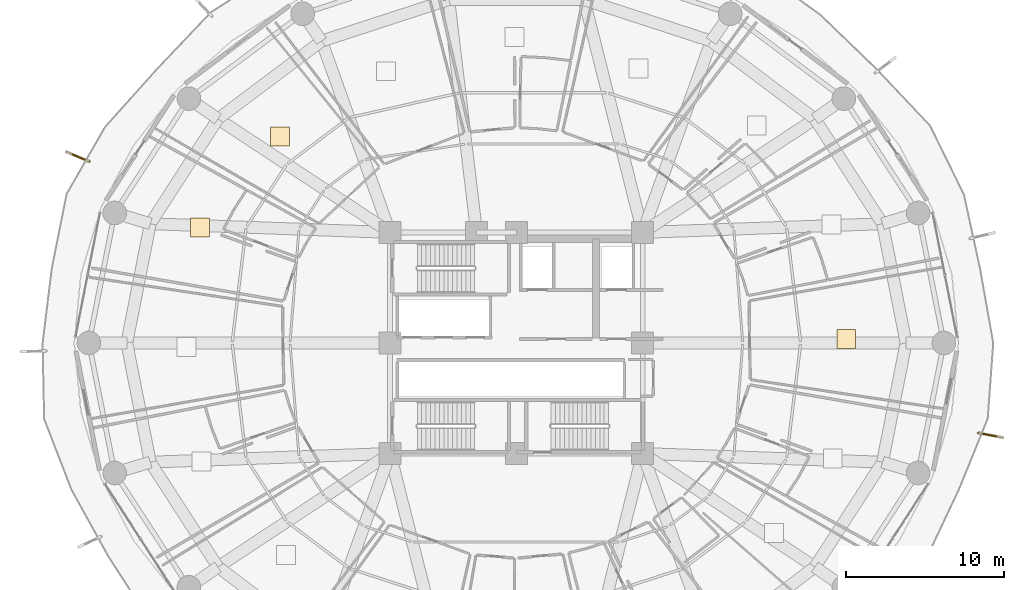
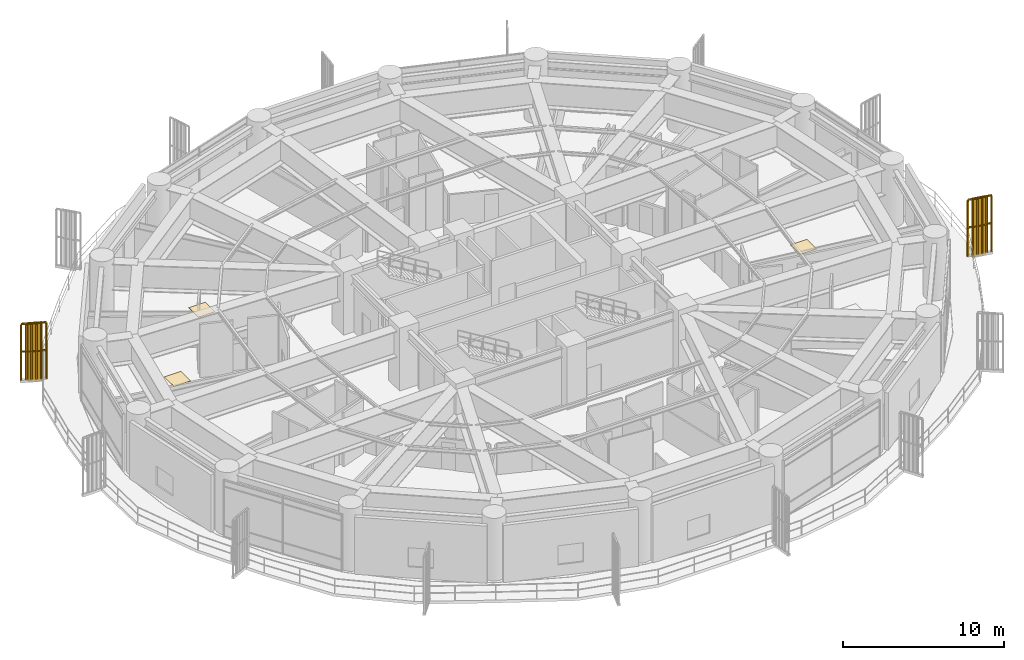
# One storey, part 29 of 31: 3 coverings, 2 railings, 2 shading devices.
"""IFC4 building model written with IfcOpenShell, lengths in metres."""

from ifc_helpers import new_model, si_unit, direction, frame, origin, origin_2d, place, context, subcontext, project, spatial, polyline, rectangle, outline, extrude, source, transform, mapped, material, layer, layer_set, type_object, element, save


model = new_model("IFC4")

# Units and contexts
model_context = context("Model", 3, precision=1e-05, world=origin(), true_north=direction((0.0, 1.0)))
body_context = subcontext(model_context, "Body", "Model", "MODEL_VIEW")
ifc_project = project(units=[si_unit("LENGTHUNIT", "METRE"), si_unit("AREAUNIT", "SQUARE_METRE"), si_unit("VOLUMEUNIT", "CUBIC_METRE"), si_unit("PLANEANGLEUNIT", "RADIAN"), si_unit("MASSUNIT", "GRAM", prefix="KILO")], contexts=[model_context])

# Site, building, storey
site_placement = place(None, origin())
site = spatial("IfcSite", under=ifc_project, at=site_placement, CompositionType="ELEMENT")
building_placement = place(site_placement, origin())
building = spatial("IfcBuilding", under=site, at=building_placement, Name="Kelanora Arch Commons", CompositionType="ELEMENT")
storey_placement = place(building_placement, frame((0.0, 0.0, 67.5)))
storey = spatial("IfcBuildingStorey", under=building, at=storey_placement, Name="L17", CompositionType="ELEMENT", Elevation=67.5)

# Railings
ifc_material_1 = material(Name="Anodised bronze vertical shading fin rib assembly")
railing_type = type_object("IfcRailingType", Name="RAIL-FIN-BRZ", PredefinedType="BALUSTRADE", material=ifc_material_1)
railing_1_placement = place(storey_placement, frame((46.94091796875, 69.494140625, -0.02001953125)))
element("IfcRailing", 1, at=railing_1_placement, inside=storey, type_object=railing_type, Name="Sweeping Bronze Vertical Fin Blade L17-05", PredefinedType="BALUSTRADE", context=body_context, shape_type="SweptSolid", body=[
    extrude(outline(polyline([(0.06982421875, 0.0), (0.034912109375, 0.060546875), (-0.034912109375, 0.060546875), (-0.06982421875, 0.0), (-0.034912109375, -0.060546875), (0.034912109375, -0.060546875), (0.06982421875, 0.0)])), frame((0.0, 0.0, 4.2900390625), z_axis=(-0.92034760528, 0.39110137491, 0.0), x_axis=(-0.39110137491, -0.92034760528, 0.0)), (0.0, 0.0, 1.0), 1.579833984375),
    extrude(outline(polyline([(0.06982421875, 0.0), (0.034912109375, 0.060546875), (-0.034912109375, 0.060546875), (-0.06982421875, 0.0), (-0.034912109375, -0.060546875), (0.034912109375, -0.060546875), (0.06982421875, 0.0)])), frame((0.0, 0.0, 2.18017578125), z_axis=(-0.92034760528, 0.39110137491, 0.0), x_axis=(-0.39110137491, -0.92034760528, 0.0)), (0.0, 0.0, 1.0), 1.579833984375),
    extrude(outline(polyline([(0.080078125, 0.0), (0.0400390625, 0.0693359375), (-0.0400390625, 0.0693359375), (-0.080078125, 0.0), (-0.0400390625, -0.0693359375), (0.0400390625, -0.0693359375), (0.080078125, 0.0)])), origin(), (0.0, 0.0, 1.0), 4.22021484375),
    extrude(outline(polyline([(0.080078125, 0.0), (0.0400390625, 0.0693359375), (-0.0400390625, 0.0693359375), (-0.080078125, 0.0), (-0.0400390625, -0.0693359375), (0.0400390625, -0.0693359375), (0.080078125, 0.0)])), frame((-0.290771484375, 0.12353515625, 0.0)), (0.0, 0.0, 1.0), 4.22021484375),
    extrude(outline(polyline([(0.080078125, 0.0), (0.0400390625, 0.0693359375), (-0.0400390625, 0.0693359375), (-0.080078125, 0.0), (-0.0400390625, -0.0693359375), (0.0400390625, -0.0693359375), (0.080078125, 0.0)])), frame((-0.58154296875, 0.2470703125, 0.0)), (0.0, 0.0, 1.0), 4.22021484375),
    extrude(outline(polyline([(0.080078125, 0.0), (0.0400390625, 0.0693359375), (-0.0400390625, 0.0693359375), (-0.080078125, 0.0), (-0.0400390625, -0.0693359375), (0.0400390625, -0.0693359375), (0.080078125, 0.0)])), frame((-0.87255859375, 0.370849609375, 0.0)), (0.0, 0.0, 1.0), 4.22021484375),
    extrude(outline(polyline([(0.080078125, 0.0), (0.0400390625, 0.0693359375), (-0.0400390625, 0.0693359375), (-0.080078125, 0.0), (-0.0400390625, -0.0693359375), (0.0400390625, -0.0693359375), (0.080078125, 0.0)])), frame((-1.163330078125, 0.494384765625, 0.0)), (0.0, 0.0, 1.0), 4.22021484375),
    extrude(outline(polyline([(0.080078125, 0.0), (0.0400390625, 0.0693359375), (-0.0400390625, 0.0693359375), (-0.080078125, 0.0), (-0.0400390625, -0.0693359375), (0.0400390625, -0.0693359375), (0.080078125, 0.0)])), frame((-1.4541015625, 0.617919921875, 0.0)), (0.0, 0.0, 1.0), 4.22021484375),
])
railing_2_placement = place(storey_placement, frame((103.25537109375, 52.305419921875, -0.02001953125)))
element("IfcRailing", 2, at=railing_2_placement, inside=storey, type_object=railing_type, Name="Sweeping Bronze Vertical Fin Blade L17-13", PredefinedType="BALUSTRADE", context=body_context, shape_type="SweptSolid", body=[
    extrude(outline(polyline([(0.06982421875, 0.0), (0.034912109375, 0.060546875), (-0.034912109375, 0.060546875), (-0.06982421875, 0.0), (-0.034912109375, -0.060546875), (0.034912109375, -0.060546875), (0.06982421875, 0.0)])), frame((0.0, 0.0, 4.2900390625), z_axis=(0.981560661467, -0.191150903374, 0.0), x_axis=(0.191150903374, 0.981560661467, 0.0)), (0.0, 0.0, 1.0), 1.579833984375),
    extrude(outline(polyline([(0.06982421875, 0.0), (0.034912109375, 0.060546875), (-0.034912109375, 0.060546875), (-0.06982421875, 0.0), (-0.034912109375, -0.060546875), (0.034912109375, -0.060546875), (0.06982421875, 0.0)])), frame((0.0, 0.0, 2.18017578125), z_axis=(0.981560661467, -0.191150903374, 0.0), x_axis=(0.191150903374, 0.981560661467, 0.0)), (0.0, 0.0, 1.0), 1.579833984375),
    extrude(outline(polyline([(0.080078125, 0.0), (0.0400390625, 0.0693359375), (-0.0400390625, 0.0693359375), (-0.080078125, 0.0), (-0.0400390625, -0.0693359375), (0.0400390625, -0.0693359375), (0.080078125, 0.0)])), origin(), (0.0, 0.0, 1.0), 4.22021484375),
    extrude(outline(polyline([(0.080078125, 0.0), (0.0400390625, 0.0693359375), (-0.0400390625, 0.0693359375), (-0.080078125, 0.0), (-0.0400390625, -0.0693359375), (0.0400390625, -0.0693359375), (0.080078125, 0.0)])), frame((0.31005859375, -0.060302734375, 0.0)), (0.0, 0.0, 1.0), 4.22021484375),
    extrude(outline(polyline([(0.080078125, 0.0), (0.0400390625, 0.0693359375), (-0.0400390625, 0.0693359375), (-0.080078125, 0.0), (-0.0400390625, -0.0693359375), (0.0400390625, -0.0693359375), (0.080078125, 0.0)])), frame((0.620361328125, -0.120849609375, 0.0)), (0.0, 0.0, 1.0), 4.22021484375),
    extrude(outline(polyline([(0.080078125, 0.0), (0.0400390625, 0.0693359375), (-0.0400390625, 0.0693359375), (-0.080078125, 0.0), (-0.0400390625, -0.0693359375), (0.0400390625, -0.0693359375), (0.080078125, 0.0)])), frame((0.930419921875, -0.18115234375, 0.0)), (0.0, 0.0, 1.0), 4.22021484375),
    extrude(outline(polyline([(0.080078125, 0.0), (0.0400390625, 0.0693359375), (-0.0400390625, 0.0693359375), (-0.080078125, 0.0), (-0.0400390625, -0.0693359375), (0.0400390625, -0.0693359375), (0.080078125, 0.0)])), frame((1.24072265625, -0.24169921875, 0.0)), (0.0, 0.0, 1.0), 4.22021484375),
    extrude(outline(polyline([(0.080078125, 0.0), (0.0400390625, 0.0693359375), (-0.0400390625, 0.0693359375), (-0.080078125, 0.0), (-0.0400390625, -0.0693359375), (0.0400390625, -0.0693359375), (0.080078125, 0.0)])), frame((1.55078125, -0.302001953125, 0.0)), (0.0, 0.0, 1.0), 4.22021484375),
])

# Shading devices
ifc_material_2 = material(Name="Terracotta ceramic-clad extruded aluminium fin", Category="masonry")
shading_device_type = type_object("IfcShadingDeviceType", Name="SHD-FIN-FLARE", PredefinedType="USERDEFINED", material=ifc_material_2)
shared_shape_1 = source(origin(), body_context, "Body", "SweptSolid", [
    extrude(rectangle(XDim=0.8798828125, YDim=0.090087890625, at=origin_2d()), origin(), (0.0, 0.0, 1.0), 4.47998046875),
])
for number, where, z_axis, x_axis, name in (
    (3, (46.2783203125, 69.775634765625, -0.139892578125), (0.0, 0.0, 1.0), (-0.920436643986, 0.390891780942, 0.0), "Sweeping Terracotta Fin L17-05"),
    (4, (103.9619140625, 52.167724609375, -0.139892578125), (0.0, 0.0, 1.0), (0.981593866045, -0.190980318733, 0.0), "Sweeping Terracotta Fin L17-13"),
):
    element("IfcShadingDevice", number, at=place(storey_placement, frame(where, z_axis=z_axis, x_axis=x_axis)), inside=storey, type_object=shading_device_type, Name=name, ObjectType="FIN", PredefinedType="USERDEFINED", context=body_context, shape_type="MappedRepresentation", body=[
        mapped(shared_shape_1, transform((0.0, 0.0, 0.0), scale=1.0)),
    ])

# Coverings
ifc_material_3 = material(Name="Polished local granite terrazzo flooring", Category="masonry")
ifc_layer = layer(ifc_material_3, 0.030029296875)
ifc_layer_set = layer_set([ifc_layer], Name="Polished local granite terrazzo flooring")
covering_type = type_object("IfcCoveringType", Name="COV-FLR-TER", PredefinedType="FLOORING", material=ifc_layer_set)
shared_shape_2 = source(origin(), body_context, "Body", "SweptSolid", [
    extrude(rectangle(XDim=1.199951171875, YDim=1.199951171875, at=origin_2d()), origin(), (0.0, 0.0, 1.0), 0.030029296875),
])
for number, where, z_axis, x_axis, name in (
    (5, (59.032470703125, 71.072021484375, 0.0), (0.0, 0.0, 1.0), (1.0, 0.0, 0.0), "Quiet Seminar Study Room L17-06 Terrazzo Finish"),
    (6, (53.963134765625, 65.3251953125, 0.0), (0.0, 0.0, 1.0), (1.0, 0.0, 0.0), "Co-Living Studio L17-07 Terrazzo Finish"),
    (7, (94.89404296875, 58.2451171875, 0.0), (0.0, 0.0, 1.0), (1.0, 0.0, 0.0), "Social Sky Lounge L17-16 Terrazzo Finish"),
):
    element("IfcCovering", number, at=place(storey_placement, frame(where, z_axis=z_axis, x_axis=x_axis)), inside=storey, type_object=covering_type, Name=name, PredefinedType="FLOORING", context=body_context, shape_type="MappedRepresentation", body=[
        mapped(shared_shape_2, transform((0.0, 0.0, 0.0), scale=1.0)),
    ])

save(model, "model.ifc")
